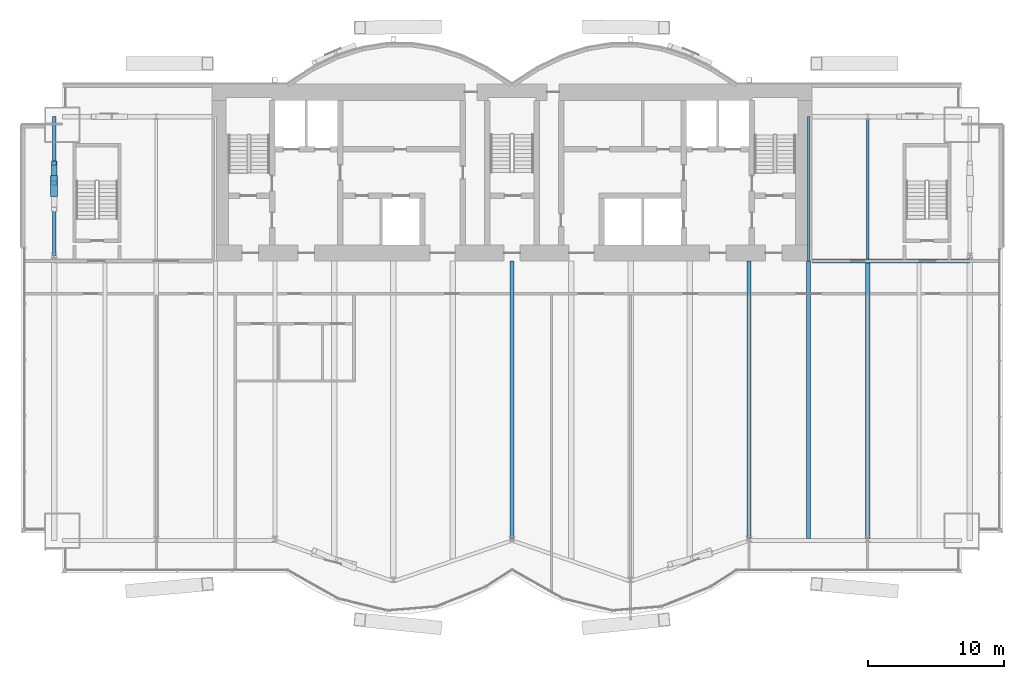
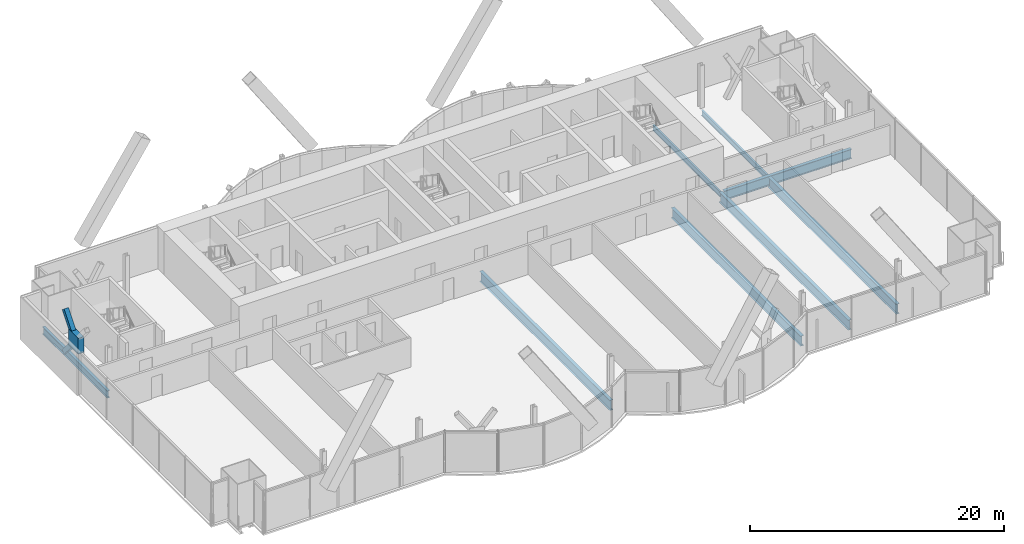
# One storey, part 10 of 22: 8 beams, 3 members.
"""IFC4 building model written with IfcOpenShell, lengths in metres."""

from ifc_helpers import new_model, si_unit, direction, frame, origin, origin_2d, place, context, subcontext, project, spatial, rectangle, hollow_rectangle, i_section, extrude, material, material_profile, profile_set, type_object, element, save


model = new_model("IFC4")

# Units and contexts
model_context = context("Model", 3, precision=1e-05, world=origin(), true_north=direction((0.0, 1.0)))
body_context = subcontext(model_context, "Body", "Model", "MODEL_VIEW")
ifc_project = project(units=[si_unit("LENGTHUNIT", "METRE"), si_unit("AREAUNIT", "SQUARE_METRE"), si_unit("VOLUMEUNIT", "CUBIC_METRE"), si_unit("PLANEANGLEUNIT", "RADIAN"), si_unit("MASSUNIT", "GRAM", prefix="KILO")], contexts=[model_context])

# Site, building, storey
site_placement = place(None, origin())
site = spatial("IfcSite", under=ifc_project, at=site_placement, CompositionType="ELEMENT")
building_placement = place(site_placement, origin())
building = spatial("IfcBuilding", under=site, at=building_placement, Name="Bicima Exchange Tower", CompositionType="ELEMENT")
storey_placement = place(building_placement, frame((0.0, 0.0, 144.5)))
storey = spatial("IfcBuildingStorey", under=building, at=storey_placement, Name="L31", CompositionType="ELEMENT", Elevation=144.5)

# Member
ifc_material_1 = material(Name="Steel ASTM A572 Gr 50", Category="steel")
ifc_material_profile_1 = material_profile(ifc_material_1, rectangle(XDim=0.50634765625, YDim=1.529541015625, at=origin_2d()))
ifc_profile_set_1 = profile_set([ifc_material_profile_1], Name="Steel ASTM A572 Gr 50")
member_type_1 = type_object("IfcMemberType", Name="Brace crossing node 506 x 1530", PredefinedType="POST", material=ifc_profile_set_1)
member_1_placement = place(storey_placement, frame((-33.60009765625, -7.5, 0.798583984375), z_axis=(0.0, 0.0, 1.0), x_axis=(1.0, 0.0, 0.0)))
element("IfcMember", 1, at=member_1_placement, inside=storey, type_object=member_type_1, Name="Brace crossing node block", PredefinedType="POST", context=body_context, shape_type="SweptSolid", body=[
    extrude(rectangle(XDim=0.50634765625, YDim=1.529541015625, at=origin_2d()), origin(), (0.0, 0.0, 1.0), 1.509521484375),
])

# Beams
ifc_material_2 = material(Name="Steel ASTM A992 Gr 50", Category="steel")
ifc_material_profile_2 = material_profile(ifc_material_2, i_section(OverallWidth=0.3046875, OverallDepth=0.911865234375, WebThickness=0.015869140625, FlangeThickness=0.02392578125, at=origin_2d()))
ifc_profile_set_2 = profile_set([ifc_material_profile_2], Name="Steel ASTM A992 Gr 50")
beam_type_1 = type_object("IfcBeamType", Name="Core-line girder W36x150", PredefinedType="BEAM", material=ifc_profile_set_2)
beam_1_placement = place(storey_placement, frame((22.0, -13.0, -0.60595703125), z_axis=(1.0, 0.0, 0.0), x_axis=(0.0, 1.0, 0.0)))
element("IfcBeam", 2, at=beam_1_placement, inside=storey, type_object=beam_type_1, Name="Core-line girder", PredefinedType="BEAM", context=body_context, shape_type="SweptSolid", body=[
    extrude(i_section(OverallWidth=0.3046875, OverallDepth=0.911865234375, WebThickness=0.015869140625, FlangeThickness=0.02392578125, at=origin_2d()), origin(), (0.0, 0.0, 1.0), 11.60009765625),
])
ifc_material_profile_3 = material_profile(ifc_material_2, i_section(OverallWidth=0.256591796875, OverallDepth=0.693359375, WebThickness=0.014404296875, FlangeThickness=0.023681640625, at=origin_2d()))
ifc_profile_set_3 = profile_set([ifc_material_profile_3], Name="Steel ASTM A992 Gr 50")
beam_type_2 = type_object("IfcBeamType", Name="End girder W27x114", PredefinedType="BEAM", material=ifc_profile_set_3)
beam_2_placement = place(storey_placement, frame((-33.60009765625, -2.39990234375, -0.49658203125), z_axis=(0.0, -1.0, 0.0), x_axis=(1.0, 0.0, 0.0)))
element("IfcBeam", 3, at=beam_2_placement, inside=storey, type_object=beam_type_2, Name="End girder", PredefinedType="BEAM", context=body_context, shape_type="SweptSolid", body=[
    extrude(i_section(OverallWidth=0.256591796875, OverallDepth=0.693359375, WebThickness=0.014404296875, FlangeThickness=0.023681640625, at=origin_2d()), origin(), (0.0, 0.0, 1.0), 10.2001953125),
])
ifc_material_profile_4 = material_profile(ifc_material_2, i_section(OverallWidth=0.165771484375, OverallDepth=0.5283203125, WebThickness=0.009765625, FlangeThickness=0.013671875, at=origin_2d()))
ifc_profile_set_4 = profile_set([ifc_material_profile_4], Name="Steel ASTM A992 Gr 50")
beam_type_3 = type_object("IfcBeamType", Name="Floor beam W21x50", PredefinedType="JOIST", material=ifc_profile_set_4)
beam_3_placement = place(storey_placement, frame((21.75, -2.39990234375, -0.414306640625), z_axis=(0.0, -1.0, 0.0), x_axis=(1.0, 0.0, 0.0)))
element("IfcBeam", 4, at=beam_3_placement, inside=storey, type_object=beam_type_3, Name="Floor beam", PredefinedType="JOIST", context=body_context, shape_type="SweptSolid", body=[
    extrude(i_section(OverallWidth=0.165771484375, OverallDepth=0.5283203125, WebThickness=0.009765625, FlangeThickness=0.013671875, at=origin_2d()), origin(), (0.0, 0.0, 1.0), 10.60009765625),
])
beam_4_placement = place(storey_placement, frame((26.10009765625, -2.5625, -0.414306640625), z_axis=(0.0, -1.0, 0.0), x_axis=(1.0, 0.0, 0.0)))
element("IfcBeam", 5, at=beam_4_placement, inside=storey, type_object=beam_type_3, Name="Floor beam", PredefinedType="JOIST", context=body_context, shape_type="SweptSolid", body=[
    extrude(i_section(OverallWidth=0.165771484375, OverallDepth=0.5283203125, WebThickness=0.009765625, FlangeThickness=0.013671875, at=origin_2d()), origin(), (0.0, 0.0, 1.0), 10.28515625),
])
ifc_material_profile_5 = material_profile(ifc_material_2, i_section(OverallWidth=0.2998046875, OverallDepth=0.97021484375, WebThickness=0.01611328125, FlangeThickness=0.02099609375, at=origin_2d()))
ifc_profile_set_5 = profile_set([ifc_material_profile_5], Name="Steel ASTM A992 Gr 50")
beam_type_4 = type_object("IfcBeamType", Name="Floor beam W40x149", PredefinedType="JOIST", material=ifc_profile_set_5)
beam_5_placement = place(storey_placement, frame((0.0, -13.0, -0.635009765625), z_axis=(0.0, -1.0, 0.0), x_axis=(1.0, 0.0, 0.0)))
element("IfcBeam", 6, at=beam_5_placement, inside=storey, type_object=beam_type_4, Name="Floor beam", PredefinedType="JOIST", context=body_context, shape_type="SweptSolid", body=[
    extrude(i_section(OverallWidth=0.2998046875, OverallDepth=0.97021484375, WebThickness=0.01611328125, FlangeThickness=0.02099609375, at=origin_2d()), origin(), (0.0, 0.0, 1.0), 20.5),
])
beam_6_placement = place(storey_placement, frame((17.39990234375, -13.0, -0.635009765625), z_axis=(0.0, -1.0, 0.0), x_axis=(1.0, 0.0, 0.0)))
element("IfcBeam", 7, at=beam_6_placement, inside=storey, type_object=beam_type_4, Name="Floor beam", PredefinedType="JOIST", context=body_context, shape_type="SweptSolid", body=[
    extrude(i_section(OverallWidth=0.2998046875, OverallDepth=0.97021484375, WebThickness=0.01611328125, FlangeThickness=0.02099609375, at=origin_2d()), origin(), (0.0, 0.0, 1.0), 20.364501953125),
])
beam_7_placement = place(storey_placement, frame((21.75, -13.0, -0.635009765625), z_axis=(0.0, -1.0, 0.0), x_axis=(1.0, 0.0, 0.0)))
element("IfcBeam", 8, at=beam_7_placement, inside=storey, type_object=beam_type_4, Name="Floor beam", PredefinedType="JOIST", context=body_context, shape_type="SweptSolid", body=[
    extrude(i_section(OverallWidth=0.2998046875, OverallDepth=0.97021484375, WebThickness=0.01611328125, FlangeThickness=0.02099609375, at=origin_2d()), origin(), (0.0, 0.0, 1.0), 20.33740234375),
])
beam_8_placement = place(storey_placement, frame((26.10009765625, -13.15234375, -0.635009765625), z_axis=(0.0, -1.0, 0.0), x_axis=(1.0, 0.0, 0.0)))
element("IfcBeam", 9, at=beam_8_placement, inside=storey, type_object=beam_type_4, Name="Floor beam", PredefinedType="JOIST", context=body_context, shape_type="SweptSolid", body=[
    extrude(i_section(OverallWidth=0.2998046875, OverallDepth=0.97021484375, WebThickness=0.01611328125, FlangeThickness=0.02099609375, at=origin_2d()), origin(), (0.0, 0.0, 1.0), 20.18505859375),
])

# Members
ifc_material_profile_6 = material_profile(ifc_material_1, hollow_rectangle(XDim=0.406494140625, YDim=0.406494140625, WallThickness=0.017822265625, at=origin_2d()))
ifc_profile_set_6 = profile_set([ifc_material_profile_6], Name="Steel ASTM A572 Gr 50")
member_type_2 = type_object("IfcMemberType", Name="Mega brace HSS16x16x3/4", PredefinedType="BRACE", material=ifc_profile_set_6)
member_2_placement = place(storey_placement, frame((-33.60009765625, -5.800048828125, -0.49658203125), z_axis=(0.0, -0.638335869595, 0.769757960393), x_axis=(1.0, 0.0, 0.0)))
element("IfcMember", 10, at=member_2_placement, inside=storey, type_object=member_type_2, Name="Mega brace west end", PredefinedType="BRACE", context=body_context, shape_type="SweptSolid", body=[
    extrude(hollow_rectangle(XDim=0.406494140625, YDim=0.406494140625, WallThickness=0.017822265625, at=origin_2d()), origin(), (0.0, 0.0, 1.0), 2.314697265625),
])
member_3_placement = place(storey_placement, frame((-33.60009765625, -7.277587890625, 1.8212890625), z_axis=(0.0, 0.63828404563, 0.76980093342), x_axis=(-1.0, 0.0, 0.0)))
element("IfcMember", 11, at=member_3_placement, inside=storey, type_object=member_type_2, Name="Mega brace west end", PredefinedType="BRACE", context=body_context, shape_type="SweptSolid", body=[
    extrude(hollow_rectangle(XDim=0.406494140625, YDim=0.406494140625, WallThickness=0.017822265625, at=origin_2d()), origin(), (0.0, 0.0, 1.0), 2.31494140625),
])

save(model, "model.ifc")
